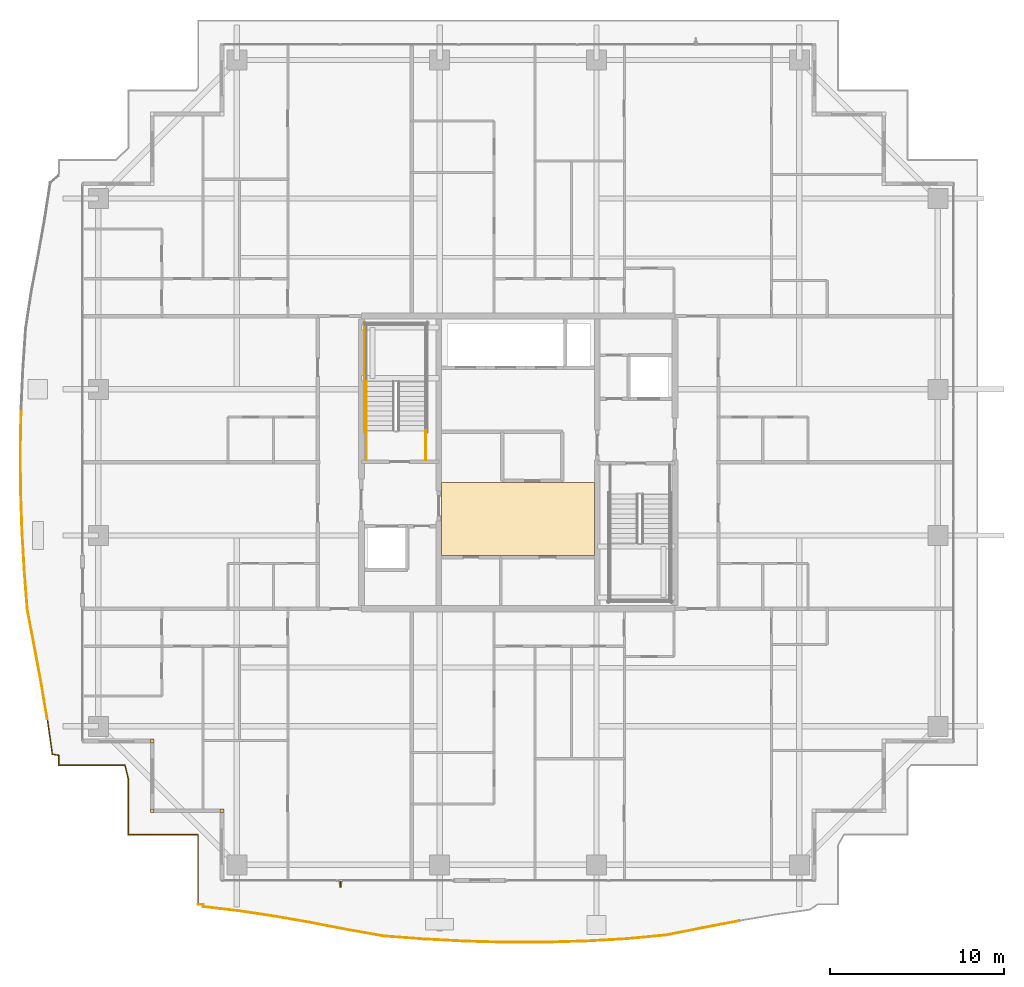
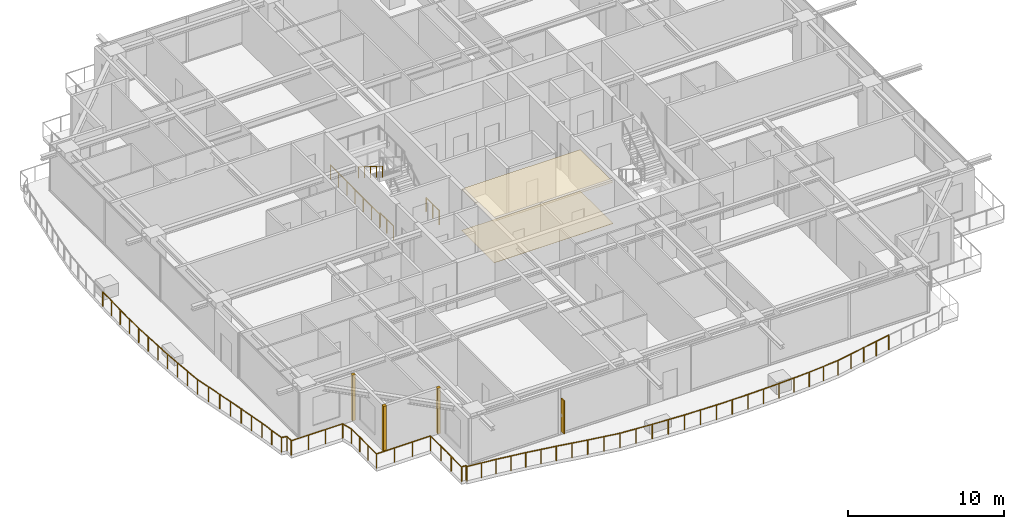
# One storey, part 33 of 38: 8 railings, 5 coverings, 1 shading device.
"""IFC4 building model written with IfcOpenShell, lengths in metres."""

from ifc_helpers import new_model, si_unit, direction, frame, origin, origin_2d, place, context, subcontext, project, spatial, polyline, rectangle, circle, outline, extrude, source, transform, mapped, material, layer, layer_set, type_object, element, save


model = new_model("IFC4")

# Units and contexts
model_context = context("Model", 3, precision=1e-05, world=origin(), true_north=direction((0.0, 1.0)))
body_context = subcontext(model_context, "Body", "Model", "MODEL_VIEW")
ifc_project = project(units=[si_unit("LENGTHUNIT", "METRE"), si_unit("AREAUNIT", "SQUARE_METRE"), si_unit("VOLUMEUNIT", "CUBIC_METRE"), si_unit("PLANEANGLEUNIT", "RADIAN"), si_unit("MASSUNIT", "GRAM", prefix="KILO")], contexts=[model_context])

# Site, building, storey
site_placement = place(None, origin())
site = spatial("IfcSite", under=ifc_project, at=site_placement, CompositionType="ELEMENT")
building_placement = place(site_placement, origin())
building = spatial("IfcBuilding", under=site, at=building_placement, Name="Serunith Strait Residences", CompositionType="ELEMENT")
storey_placement = place(building_placement, frame((0.0, 0.0, 241.25)))
storey = spatial("IfcBuildingStorey", under=building, at=storey_placement, Name="L60", CompositionType="ELEMENT", Elevation=241.25)

# Coverings
ifc_material_1 = material(Name="Perforated acoustic gypsum ceiling tile")
ifc_layer_1 = layer(ifc_material_1, 0.02490234375, Name="Perforated acoustic gypsum ceiling tile")
ifc_layer_set_1 = layer_set([ifc_layer_1], Name="Perforated acoustic gypsum ceiling tile")
covering_type_1 = type_object("IfcCoveringType", Name="COV-CEIL-AC60", PredefinedType="CEILING", material=ifc_layer_set_1)
covering_1_placement = place(storey_placement, frame((0.0, 0.0, 3.239990234375)))
element("IfcCovering", 1, at=covering_1_placement, inside=storey, type_object=covering_type_1, Name="L60 Lift Lobby Acoustic Ceiling", PredefinedType="CEILING", context=body_context, shape_type="SweptSolid", body=[
    extrude(outline(polyline([(28.0, 19.85009765625), (36.800048828125, 19.85009765625), (36.800048828125, 24.050048828125), (28.0, 24.050048828125), (28.0, 19.85009765625)])), origin(), (0.0, 0.0, 1.0), 0.02490234375),
])
ifc_material_2 = material(Name="Honed limestone terrazzo flooring", Category="masonry")
ifc_layer_2 = layer(ifc_material_2, 0.02001953125, Name="Honed limestone terrazzo flooring")
ifc_layer_set_2 = layer_set([ifc_layer_2], Name="Honed limestone terrazzo flooring")
covering_type_2 = type_object("IfcCoveringType", Name="COV-FLOOR-TER40", PredefinedType="FLOORING", material=ifc_layer_set_2)
covering_2_placement = place(storey_placement, origin())
element("IfcCovering", 2, at=covering_2_placement, inside=storey, type_object=covering_type_2, Name="L60 Lift Lobby Terrazzo Flooring", PredefinedType="FLOORING", context=body_context, shape_type="SweptSolid", body=[
    extrude(outline(polyline([(28.0, 19.85009765625), (36.800048828125, 19.85009765625), (36.800048828125, 24.050048828125), (28.0, 24.050048828125), (28.0, 19.85009765625)])), origin(), (0.0, 0.0, 1.0), 0.02001953125),
])

# Railings
ifc_material_3 = material(Name="Stainless Steel & Laminated Glass Balustrade", Category="steel")
railing_type_1 = type_object("IfcRailingType", Name="RLG-BALC-1150", PredefinedType="BALUSTRADE", material=ifc_material_3)
railing_1_placement = place(storey_placement, frame((14.02001953125, -0.179931640625, -0.050048828125)))
element("IfcRailing", 3, at=railing_1_placement, inside=storey, type_object=railing_type_1, Name="L60 Swirling Balcony Perimeter Balustrade 1", PredefinedType="BALUSTRADE", context=body_context, shape_type="SweptSolid", body=[
    extrude(circle(Radius=0.02392578125, at=origin_2d()), frame((0.0, 0.001953125, 1.1259765625), z_axis=(0.0, 1.0, 0.0), x_axis=(-1.0, 0.0, 0.0)), (0.0, 0.0, 1.0), 3.99609375),
    extrude(circle(Radius=0.02392578125, at=origin_2d()), frame((-0.001953125, 4.0, 1.1259765625), z_axis=(-1.0, 0.0, 0.0), x_axis=(0.0, -1.0, 0.0)), (0.0, 0.0, 1.0), 3.99609375),
    extrude(circle(Radius=0.02392578125, at=origin_2d()), frame((-4.0, 4.001953125, 1.1259765625), z_axis=(0.0, 1.0, 0.0), x_axis=(-1.0, 0.0, 0.0)), (0.0, 0.0, 1.0), 3.205078125),
    extrude(circle(Radius=0.02392578125, at=origin_2d()), frame((-4.00048828125, 7.2109375, 1.1259765625), z_axis=(-0.237170150499, 0.971468125937, 0.0), x_axis=(-0.971468125937, -0.237170150499, 0.0)), (0.0, 0.0, 1.0), 0.810302734375),
    extrude(circle(Radius=0.02392578125, at=origin_2d()), frame((-4.195068359375, 8.0, 1.1259765625), z_axis=(-1.0, 0.0, 0.0), x_axis=(0.0, -1.0, 0.0)), (0.0, 0.0, 1.0), 3.802978515625),
    extrude(circle(Radius=0.02392578125, at=origin_2d()), frame((-8.0, 8.001953125, 1.1259765625), z_axis=(0.0, 1.0, 0.0), x_axis=(-1.0, 0.0, 0.0)), (0.0, 0.0, 1.0), 0.5576171875),
    extrude(circle(Radius=0.02392578125, at=origin_2d()), frame((-8.001953125, 8.561767578125, 1.1259765625), z_axis=(-0.986122286746, 0.166020587829, 0.0), x_axis=(-0.166020587829, -0.986122286746, 0.0)), (0.0, 0.0, 1.0), 0.362060546875),
    extrude(circle(Radius=0.02392578125, at=origin_2d()), frame((-8.361328125, 8.624267578125, 1.1259765625), z_axis=(-0.140603209543, 0.990066026822, 0.0), x_axis=(-0.990066026822, -0.140603209543, 0.0)), (0.0, 0.0, 1.0), 2.043212890625),
    extrude(circle(Radius=0.02099609375, at=origin_2d()), origin(), (0.0, 0.0, 1.0), 1.099853515625),
    extrude(circle(Radius=0.02099609375, at=origin_2d()), frame((0.0, 1.333251953125, 0.0)), (0.0, 0.0, 1.0), 1.099853515625),
    extrude(circle(Radius=0.02099609375, at=origin_2d()), frame((0.0, 2.666748046875, 0.0)), (0.0, 0.0, 1.0), 1.099853515625),
    extrude(circle(Radius=0.02099609375, at=origin_2d()), frame((0.0, 4.0, 0.0)), (0.0, 0.0, 1.0), 1.099853515625),
    extrude(circle(Radius=0.02099609375, at=origin_2d()), frame((-1.333251953125, 4.0, 0.0)), (0.0, 0.0, 1.0), 1.099853515625),
    extrude(circle(Radius=0.02099609375, at=origin_2d()), frame((-2.666748046875, 4.0, 0.0)), (0.0, 0.0, 1.0), 1.099853515625),
    extrude(circle(Radius=0.02099609375, at=origin_2d()), frame((-4.0, 4.0, 0.0)), (0.0, 0.0, 1.0), 1.099853515625),
    extrude(circle(Radius=0.02099609375, at=origin_2d()), frame((-4.0, 5.069580078125, 0.0)), (0.0, 0.0, 1.0), 1.099853515625),
    extrude(circle(Radius=0.02099609375, at=origin_2d()), frame((-4.0, 6.139404296875, 0.0)), (0.0, 0.0, 1.0), 1.099853515625),
    extrude(circle(Radius=0.02099609375, at=origin_2d()), frame((-4.0, 7.208984375, 0.0)), (0.0, 0.0, 1.0), 1.099853515625),
    extrude(circle(Radius=0.02099609375, at=origin_2d()), frame((-4.193115234375, 8.0, 0.0)), (0.0, 0.0, 1.0), 1.099853515625),
    extrude(circle(Radius=0.02099609375, at=origin_2d()), frame((-5.462158203125, 8.0, 0.0)), (0.0, 0.0, 1.0), 1.099853515625),
    extrude(circle(Radius=0.02099609375, at=origin_2d()), frame((-6.73095703125, 8.0, 0.0)), (0.0, 0.0, 1.0), 1.099853515625),
    extrude(circle(Radius=0.02099609375, at=origin_2d()), frame((-8.0, 8.0, 0.0)), (0.0, 0.0, 1.0), 1.099853515625),
    extrude(circle(Radius=0.02099609375, at=origin_2d()), frame((-8.0, 8.5615234375, 0.0)), (0.0, 0.0, 1.0), 1.099853515625),
    extrude(circle(Radius=0.02099609375, at=origin_2d()), frame((-8.361083984375, 8.622314453125, 0.0)), (0.0, 0.0, 1.0), 1.099853515625),
    extrude(circle(Radius=0.02099609375, at=origin_2d()), frame((-8.5048828125, 9.6357421875, 0.0)), (0.0, 0.0, 1.0), 1.099853515625),
    extrude(circle(Radius=0.02099609375, at=origin_2d()), frame((-8.64892578125, 10.649169921875, 0.0)), (0.0, 0.0, 1.0), 1.099853515625),
])
railing_2_placement = place(storey_placement, frame((5.37109375, 10.46923828125, -0.050048828125)))
element("IfcRailing", 4, at=railing_2_placement, inside=storey, type_object=railing_type_1, Name="L60 Swirling Balcony Perimeter Balustrade 2", PredefinedType="BALUSTRADE", context=body_context, shape_type="SweptSolid", body=[
    extrude(circle(Radius=0.02392578125, at=origin_2d()), frame((-0.000244140625, 0.001953125, 1.1259765625), z_axis=(-0.165275784377, 0.986247390414, 0.0), x_axis=(-0.986247390414, -0.165275784377, 0.0)), (0.0, 0.0, 1.0), 2.072998046875),
    extrude(circle(Radius=0.02392578125, at=origin_2d()), frame((-0.343505859375, 2.05029296875, 1.1259765625), z_axis=(-0.18296219892, 0.983119948819, 0.0), x_axis=(-0.983119948819, -0.18296219892, 0.0)), (0.0, 0.0, 1.0), 2.118896484375),
    extrude(circle(Radius=0.02392578125, at=origin_2d()), frame((-0.732177734375, 4.137451171875, 1.1259765625), z_axis=(-0.187204605983, 0.982320943225, 0.0), x_axis=(-0.982320943225, -0.187204605983, 0.0)), (0.0, 0.0, 1.0), 2.17919921875),
    extrude(circle(Radius=0.02392578125, at=origin_2d()), frame((-1.140625, 6.281982421875, 1.1259765625), z_axis=(-0.078021370134, 0.996951686794, 0.0), x_axis=(-0.996951686794, -0.078021370134, 0.0)), (0.0, 0.0, 1.0), 2.2646484375),
    extrude(circle(Radius=0.02392578125, at=origin_2d()), frame((-1.3173828125, 8.543701171875, 1.1259765625), z_axis=(-0.056980288871, 0.998375303521, 0.0), x_axis=(-0.998375303521, -0.056980288871, 0.0)), (0.0, 0.0, 1.0), 2.296875),
    extrude(circle(Radius=0.02392578125, at=origin_2d()), frame((-1.448486328125, 10.8408203125, 1.1259765625), z_axis=(-0.033531826925, 0.999437650173, 0.0), x_axis=(-0.999437650173, -0.033531826925, 0.0)), (0.0, 0.0, 1.0), 2.318603515625),
    extrude(circle(Radius=0.02392578125, at=origin_2d()), frame((-1.5263671875, 13.162109375, 1.1259765625), z_axis=(-0.007117257452, 0.999974672002, 0.0), x_axis=(-0.999974672002, -0.007117257452, 0.0)), (0.0, 0.0, 1.0), 2.32861328125),
    extrude(circle(Radius=0.02392578125, at=origin_2d()), frame((-1.54296875, 15.49462890625, 1.1259765625), z_axis=(0.019918455017, 0.999801607895, 0.0), x_axis=(-0.999801607895, 0.019918455017, 0.0)), (0.0, 0.0, 1.0), 2.324951171875),
    extrude(circle(Radius=0.02099609375, at=origin_2d()), origin(), (0.0, 0.0, 1.0), 1.099853515625),
    extrude(circle(Radius=0.02099609375, at=origin_2d()), frame((-0.171630859375, 1.024169921875, 0.0)), (0.0, 0.0, 1.0), 1.099853515625),
    extrude(circle(Radius=0.02099609375, at=origin_2d()), frame((-0.34326171875, 2.04833984375, 0.0)), (0.0, 0.0, 1.0), 1.099853515625),
    extrude(circle(Radius=0.02099609375, at=origin_2d()), frame((-0.53759765625, 3.091796875, 0.0)), (0.0, 0.0, 1.0), 1.099853515625),
    extrude(circle(Radius=0.02099609375, at=origin_2d()), frame((-0.731689453125, 4.135498046875, 0.0)), (0.0, 0.0, 1.0), 1.099853515625),
    extrude(circle(Radius=0.02099609375, at=origin_2d()), frame((-0.93603515625, 5.207763671875, 0.0)), (0.0, 0.0, 1.0), 1.099853515625),
    extrude(circle(Radius=0.02099609375, at=origin_2d()), frame((-1.140380859375, 6.280029296875, 0.0)), (0.0, 0.0, 1.0), 1.099853515625),
    extrude(circle(Radius=0.02099609375, at=origin_2d()), frame((-1.22900390625, 7.410888671875, 0.0)), (0.0, 0.0, 1.0), 1.099853515625),
    extrude(circle(Radius=0.02099609375, at=origin_2d()), frame((-1.3173828125, 8.541748046875, 0.0)), (0.0, 0.0, 1.0), 1.099853515625),
    extrude(circle(Radius=0.02099609375, at=origin_2d()), frame((-1.3828125, 9.6904296875, 0.0)), (0.0, 0.0, 1.0), 1.099853515625),
    extrude(circle(Radius=0.02099609375, at=origin_2d()), frame((-1.448486328125, 10.8388671875, 0.0)), (0.0, 0.0, 1.0), 1.099853515625),
    extrude(circle(Radius=0.02099609375, at=origin_2d()), frame((-1.4873046875, 11.99951171875, 0.0)), (0.0, 0.0, 1.0), 1.099853515625),
    extrude(circle(Radius=0.02099609375, at=origin_2d()), frame((-1.5263671875, 13.16015625, 0.0)), (0.0, 0.0, 1.0), 1.099853515625),
    extrude(circle(Radius=0.02099609375, at=origin_2d()), frame((-1.53466796875, 14.326416015625, 0.0)), (0.0, 0.0, 1.0), 1.099853515625),
    extrude(circle(Radius=0.02099609375, at=origin_2d()), frame((-1.54296875, 15.49267578125, 0.0)), (0.0, 0.0, 1.0), 1.099853515625),
    extrude(circle(Radius=0.02099609375, at=origin_2d()), frame((-1.519775390625, 16.65673828125, 0.0)), (0.0, 0.0, 1.0), 1.099853515625),
    extrude(circle(Radius=0.02099609375, at=origin_2d()), frame((-1.49658203125, 17.821044921875, 0.0)), (0.0, 0.0, 1.0), 1.099853515625),
])
railing_3_placement = place(storey_placement, frame((45.102294921875, -1.11865234375, -0.050048828125)))
element("IfcRailing", 5, at=railing_3_placement, inside=storey, type_object=railing_type_1, Name="L60 Swirling Balcony Perimeter Balustrade 7", PredefinedType="BALUSTRADE", context=body_context, shape_type="SweptSolid", body=[
    extrude(circle(Radius=0.02392578125, at=origin_2d()), frame((-0.001953125, -0.00048828125, 1.1259765625), z_axis=(-0.982195030623, -0.18786410466, 0.0), x_axis=(0.18786410466, -0.982195030623, 0.0)), (0.0, 0.0, 1.0), 2.1142578125),
    extrude(circle(Radius=0.02392578125, at=origin_2d()), frame((-2.08251953125, -0.3984375, 1.1259765625), z_axis=(-0.981063958401, -0.193684045619, 0.0), x_axis=(0.193684045619, -0.981063958401, 0.0)), (0.0, 0.0, 1.0), 2.177978515625),
    extrude(circle(Radius=0.02392578125, at=origin_2d()), frame((-4.22314453125, -0.82080078125, 1.1259765625), z_axis=(-0.995563361513, -0.094093534384, 0.0), x_axis=(0.094093534384, -0.995563361513, 0.0)), (0.0, 0.0, 1.0), 2.266357421875),
    extrude(circle(Radius=0.02392578125, at=origin_2d()), frame((-6.4833984375, -1.0341796875, 1.1259765625), z_axis=(-0.998456452042, -0.055540196042, 0.0), x_axis=(0.055540196042, -0.998456452042, 0.0)), (0.0, 0.0, 1.0), 2.30810546875),
    extrude(circle(Radius=0.02392578125, at=origin_2d()), frame((-8.7919921875, -1.16259765625, 1.1259765625), z_axis=(-0.999565129515, -0.029488164716, 0.0), x_axis=(0.029488164716, -0.999565129515, 0.0)), (0.0, 0.0, 1.0), 2.330810546875),
    extrude(circle(Radius=0.02392578125, at=origin_2d()), frame((-11.125732421875, -1.2314453125, 1.1259765625), z_axis=(-0.999999560547, -0.000937499588, 0.0), x_axis=(0.000937499588, -0.999999560547, 0.0)), (0.0, 0.0, 1.0), 2.33984375),
    extrude(circle(Radius=0.02392578125, at=origin_2d()), frame((-13.469482421875, -1.233642578125, 1.1259765625), z_axis=(-0.999622670286, 0.027468473753, 0.0), x_axis=(-0.027468473753, -0.999622670286, 0.0)), (0.0, 0.0, 1.0), 2.33349609375),
    extrude(circle(Radius=0.02392578125, at=origin_2d()), frame((-15.80615234375, -1.16943359375, 1.1259765625), z_axis=(-0.998583567557, 0.053205813633, 0.0), x_axis=(-0.053205813633, -0.998583567557, 0.0)), (0.0, 0.0, 1.0), 2.313232421875),
    extrude(circle(Radius=0.02099609375, at=origin_2d()), origin(), (0.0, 0.0, 1.0), 1.099853515625),
    extrude(circle(Radius=0.02099609375, at=origin_2d()), frame((-1.040283203125, -0.198974609375, 0.0)), (0.0, 0.0, 1.0), 1.099853515625),
    extrude(circle(Radius=0.02099609375, at=origin_2d()), frame((-2.08056640625, -0.39794921875, 0.0)), (0.0, 0.0, 1.0), 1.099853515625),
    extrude(circle(Radius=0.02099609375, at=origin_2d()), frame((-3.15087890625, -0.609375, 0.0)), (0.0, 0.0, 1.0), 1.099853515625),
    extrude(circle(Radius=0.02099609375, at=origin_2d()), frame((-4.22119140625, -0.820556640625, 0.0)), (0.0, 0.0, 1.0), 1.099853515625),
    extrude(circle(Radius=0.02099609375, at=origin_2d()), frame((-5.351318359375, -0.92724609375, 0.0)), (0.0, 0.0, 1.0), 1.099853515625),
    extrude(circle(Radius=0.02099609375, at=origin_2d()), frame((-6.4814453125, -1.0341796875, 0.0)), (0.0, 0.0, 1.0), 1.099853515625),
    extrude(circle(Radius=0.02099609375, at=origin_2d()), frame((-7.6357421875, -1.098388671875, 0.0)), (0.0, 0.0, 1.0), 1.099853515625),
    extrude(circle(Radius=0.02099609375, at=origin_2d()), frame((-8.7900390625, -1.16259765625, 0.0)), (0.0, 0.0, 1.0), 1.099853515625),
    extrude(circle(Radius=0.02099609375, at=origin_2d()), frame((-9.95703125, -1.197021484375, 0.0)), (0.0, 0.0, 1.0), 1.099853515625),
    extrude(circle(Radius=0.02099609375, at=origin_2d()), frame((-11.123779296875, -1.2314453125, 0.0)), (0.0, 0.0, 1.0), 1.099853515625),
    extrude(circle(Radius=0.02099609375, at=origin_2d()), frame((-12.295654296875, -1.232421875, 0.0)), (0.0, 0.0, 1.0), 1.099853515625),
    extrude(circle(Radius=0.02099609375, at=origin_2d()), frame((-13.467529296875, -1.233642578125, 0.0)), (0.0, 0.0, 1.0), 1.099853515625),
    extrude(circle(Radius=0.02099609375, at=origin_2d()), frame((-14.6357421875, -1.20166015625, 0.0)), (0.0, 0.0, 1.0), 1.099853515625),
    extrude(circle(Radius=0.02099609375, at=origin_2d()), frame((-15.80419921875, -1.16943359375, 0.0)), (0.0, 0.0, 1.0), 1.099853515625),
    extrude(circle(Radius=0.02099609375, at=origin_2d()), frame((-16.961181640625, -1.10791015625, 0.0)), (0.0, 0.0, 1.0), 1.099853515625),
    extrude(circle(Radius=0.02099609375, at=origin_2d()), frame((-18.1181640625, -1.046142578125, 0.0)), (0.0, 0.0, 1.0), 1.099853515625),
])
railing_4_placement = place(storey_placement, frame((26.984130859375, -2.164794921875, -0.050048828125)))
element("IfcRailing", 6, at=railing_4_placement, inside=storey, type_object=railing_type_1, Name="L60 Swirling Balcony Perimeter Balustrade 8", PredefinedType="BALUSTRADE", context=body_context, shape_type="SweptSolid", body=[
    extrude(circle(Radius=0.02392578125, at=origin_2d()), frame((-0.001953125, 0.000244140625, 1.1259765625), z_axis=(-0.997225927897, 0.074434190592, 0.0), x_axis=(-0.074434190592, -0.997225927897, 0.0)), (0.0, 0.0, 1.0), 2.2822265625),
    extrude(circle(Radius=0.02392578125, at=origin_2d()), frame((-2.28173828125, 0.17041015625, 1.1259765625), z_axis=(-0.984949093648, 0.172844678607, 0.0), x_axis=(-0.172844678607, -0.984949093648, 0.0)), (0.0, 0.0, 1.0), 2.202392578125),
    extrude(circle(Radius=0.02392578125, at=origin_2d()), frame((-4.454833984375, 0.552001953125, 1.1259765625), z_axis=(-0.981792229486, 0.189957937766, 0.0), x_axis=(-0.189957937766, -0.981792229486, 0.0)), (0.0, 0.0, 1.0), 2.132080078125),
    extrude(circle(Radius=0.02392578125, at=origin_2d()), frame((-6.552001953125, 0.95751953125, 1.1259765625), z_axis=(-0.984958773557, 0.17278950892, 0.0), x_axis=(-0.17278950892, -0.984958773557, 0.0)), (0.0, 0.0, 1.0), 2.080078125),
    extrude(circle(Radius=0.02392578125, at=origin_2d()), frame((-8.604736328125, 1.317626953125, 1.1259765625), z_axis=(-0.989165713362, 0.146803240801, 0.0), x_axis=(-0.146803240801, -0.989165713362, 0.0)), (0.0, 0.0, 1.0), 2.046630859375),
    extrude(circle(Radius=0.02392578125, at=origin_2d()), frame((-10.633056640625, 1.61865234375, 1.1259765625), z_axis=(-0.992925047454, 0.118742789835, 0.0), x_axis=(-0.118742789835, -0.992925047454, 0.0)), (0.0, 0.0, 1.0), 2.029541015625),
    extrude(circle(Radius=0.02392578125, at=origin_2d()), frame((-12.650146484375, 1.86181640625, 1.1259765625), z_axis=(0.007812261592, 0.999969483819, 0.0), x_axis=(-0.999969483819, 0.007812261592, 0.0)), (0.0, 0.0, 1.0), 0.12109375),
    extrude(circle(Radius=0.02392578125, at=origin_2d()), frame((-12.651123046875, 1.98486328125, 1.1259765625), z_axis=(-1.0, 0.0, 0.0), x_axis=(0.0, -1.0, 0.0)), (0.0, 0.0, 1.0), 0.31103515625),
    extrude(circle(Radius=0.02099609375, at=origin_2d()), origin(), (0.0, 0.0, 1.0), 1.099853515625),
    extrude(circle(Radius=0.02099609375, at=origin_2d()), frame((-1.139892578125, 0.0849609375, 0.0)), (0.0, 0.0, 1.0), 1.099853515625),
    extrude(circle(Radius=0.02099609375, at=origin_2d()), frame((-2.27978515625, 0.170166015625, 0.0)), (0.0, 0.0, 1.0), 1.099853515625),
    extrude(circle(Radius=0.02099609375, at=origin_2d()), frame((-3.3662109375, 0.36083984375, 0.0)), (0.0, 0.0, 1.0), 1.099853515625),
    extrude(circle(Radius=0.02099609375, at=origin_2d()), frame((-4.452880859375, 0.551513671875, 0.0)), (0.0, 0.0, 1.0), 1.099853515625),
    extrude(circle(Radius=0.02099609375, at=origin_2d()), frame((-5.50146484375, 0.75439453125, 0.0)), (0.0, 0.0, 1.0), 1.099853515625),
    extrude(circle(Radius=0.02099609375, at=origin_2d()), frame((-6.550048828125, 0.957275390625, 0.0)), (0.0, 0.0, 1.0), 1.099853515625),
    extrude(circle(Radius=0.02099609375, at=origin_2d()), frame((-7.576416015625, 1.13720703125, 0.0)), (0.0, 0.0, 1.0), 1.099853515625),
    extrude(circle(Radius=0.02099609375, at=origin_2d()), frame((-8.602783203125, 1.3173828125, 0.0)), (0.0, 0.0, 1.0), 1.099853515625),
    extrude(circle(Radius=0.02099609375, at=origin_2d()), frame((-9.616943359375, 1.4677734375, 0.0)), (0.0, 0.0, 1.0), 1.099853515625),
    extrude(circle(Radius=0.02099609375, at=origin_2d()), frame((-10.631103515625, 1.618408203125, 0.0)), (0.0, 0.0, 1.0), 1.099853515625),
    extrude(circle(Radius=0.02099609375, at=origin_2d()), frame((-11.640625, 1.7392578125, 0.0)), (0.0, 0.0, 1.0), 1.099853515625),
    extrude(circle(Radius=0.02099609375, at=origin_2d()), frame((-12.650146484375, 1.85986328125, 0.0)), (0.0, 0.0, 1.0), 1.099853515625),
    extrude(circle(Radius=0.02099609375, at=origin_2d()), frame((-12.649169921875, 1.98486328125, 0.0)), (0.0, 0.0, 1.0), 1.099853515625),
    extrude(circle(Radius=0.02099609375, at=origin_2d()), frame((-12.964111328125, 1.98486328125, 0.0)), (0.0, 0.0, 1.0), 1.099853515625),
])
ifc_material_4 = material(Name="Brushed stainless steel 316L", Category="steel")
railing_type_2 = type_object("IfcRailingType", Name="RLG-STAIR-GUARD", PredefinedType="BALUSTRADE", material=ifc_material_4)
for number, where, name in (
    (7, (27.10009765625, 25.35009765625, 0.0), "L60 ST-1 stair guard 8"),
    (8, (23.699951171875, 25.35009765625, 0.0), "L60 ST-1 stair guard 9"),
):
    element("IfcRailing", number, at=place(storey_placement, frame(where)), inside=storey, type_object=railing_type_2, Name=name, PredefinedType="BALUSTRADE", context=body_context, shape_type="SweptSolid", body=[
        extrude(circle(Radius=0.02392578125, at=origin_2d()), frame((0.0, 0.001953125, 1.076171875), z_axis=(0.0, 1.0, 0.0), x_axis=(-1.0, 0.0, 0.0)), (0.0, 0.0, 1.0), 1.676025390625),
        extrude(circle(Radius=0.02099609375, at=origin_2d()), origin(), (0.0, 0.0, 1.0), 1.050048828125),
        extrude(circle(Radius=0.02099609375, at=origin_2d()), frame((0.0, 0.83984375, 0.0)), (0.0, 0.0, 1.0), 1.050048828125),
        extrude(circle(Radius=0.02099609375, at=origin_2d()), frame((0.0, 1.679931640625, 0.0)), (0.0, 0.0, 1.0), 1.050048828125),
    ])
railing_5_placement = place(storey_placement, frame((23.60009765625, 26.929931640625, 0.0)))
element("IfcRailing", 9, at=railing_5_placement, inside=storey, type_object=railing_type_2, Name="L60 ST-1 stair guard 11", PredefinedType="BALUSTRADE", context=body_context, shape_type="SweptSolid", body=[
    extrude(circle(Radius=0.02392578125, at=origin_2d()), frame((0.0, 0.001953125, 1.076171875), z_axis=(0.0, 1.0, 0.0), x_axis=(-1.0, 0.0, 0.0)), (0.0, 0.0, 1.0), 6.316162109375),
    extrude(circle(Radius=0.02099609375, at=origin_2d()), origin(), (0.0, 0.0, 1.0), 1.050048828125),
    extrude(circle(Radius=0.02099609375, at=origin_2d()), frame((0.0, 1.05322265625, 0.0)), (0.0, 0.0, 1.0), 1.050048828125),
    extrude(circle(Radius=0.02099609375, at=origin_2d()), frame((0.0, 2.106689453125, 0.0)), (0.0, 0.0, 1.0), 1.050048828125),
    extrude(circle(Radius=0.02099609375, at=origin_2d()), frame((0.0, 3.16015625, 0.0)), (0.0, 0.0, 1.0), 1.050048828125),
    extrude(circle(Radius=0.02099609375, at=origin_2d()), frame((0.0, 4.21337890625, 0.0)), (0.0, 0.0, 1.0), 1.050048828125),
    extrude(circle(Radius=0.02099609375, at=origin_2d()), frame((0.0, 5.2666015625, 0.0)), (0.0, 0.0, 1.0), 1.050048828125),
    extrude(circle(Radius=0.02099609375, at=origin_2d()), frame((0.0, 6.320068359375, 0.0)), (0.0, 0.0, 1.0), 1.050048828125),
])
railing_type_3 = type_object("IfcRailingType", Name="RLG-STAIR-HR", PredefinedType="HANDRAIL", material=ifc_material_4)
railing_6_placement = place(storey_placement, frame((23.699951171875, 29.830078125, 2.10009765625)))
element("IfcRailing", 10, at=railing_6_placement, inside=storey, type_object=railing_type_3, Name="L60 ST-1 stair handrail 2", PredefinedType="HANDRAIL", context=body_context, shape_type="SweptSolid", body=[
    extrude(circle(Radius=0.02392578125, at=origin_2d()), frame((0.0, -0.001708984375, 0.876953125), z_axis=(0.0, -0.847393994688, 0.530964610654), x_axis=(1.0, 0.0, 0.0)), (0.0, 0.0, 1.0), 3.630859375),
    extrude(circle(Radius=0.02099609375, at=origin_2d()), origin(), (0.0, 0.0, 1.0), 0.849853515625),
    extrude(circle(Radius=0.02099609375, at=origin_2d()), frame((0.0, -0.77001953125, 0.482421875)), (0.0, 0.0, 1.0), 0.849853515625),
    extrude(circle(Radius=0.02099609375, at=origin_2d()), frame((0.0, -1.5400390625, 0.96484375)), (0.0, 0.0, 1.0), 0.849853515625),
    extrude(circle(Radius=0.02099609375, at=origin_2d()), frame((0.0, -2.31005859375, 1.447509765625)), (0.0, 0.0, 1.0), 0.849853515625),
    extrude(circle(Radius=0.02099609375, at=origin_2d()), frame((0.0, -3.080078125, 1.929931640625)), (0.0, 0.0, 1.0), 0.849853515625),
])

# Shading device
ifc_material_5 = material(Name="Pale-Champagne Perforated Aluminium Fin", Category="aluminium")
shading_device_type = type_object("IfcShadingDeviceType", Name="SHD-DIAG-FIN", PredefinedType="AWNING", material=ifc_material_5)
shared_shape_1 = source(origin(), body_context, "Body", "SweptSolid", [
    extrude(rectangle(XDim=0.080078125, YDim=0.35009765625, at=origin_2d()), origin(), (0.0, 0.0, 1.0), 2.60009765625),
])
shading_device_placement = place(storey_placement, frame((22.199951171875, 0.97998046875, 0.199951171875), z_axis=(0.0, 0.0, 1.0), x_axis=(1.0, 0.0, 0.0)))
element("IfcShadingDevice", 11, at=shading_device_placement, inside=storey, type_object=shading_device_type, Name="L60 Diagonal Rhythm Solar Fin S", PredefinedType="AWNING", context=body_context, shape_type="MappedRepresentation", body=[
    mapped(shared_shape_1, transform((0.0, 0.0, 0.0), scale=1.0)),
])

# Coverings
ifc_material_6 = material(Name="Pale-Champagne Anodised Aluminium", Category="aluminium")
ifc_layer_3 = layer(ifc_material_6, 0.219970703125, Name="Pale-Champagne Anodised Aluminium")
ifc_layer_set_3 = layer_set([ifc_layer_3], Name="Pale-Champagne Anodised Aluminium")
covering_type_3 = type_object("IfcCoveringType", Name="COV-CORN-TRIM", PredefinedType="CLADDING", material=ifc_layer_set_3)
shared_shape_2 = source(origin(), body_context, "Body", "SweptSolid", [
    extrude(rectangle(XDim=0.221923828125, YDim=0.221923828125, at=origin_2d()), origin(), (0.0, 0.0, 1.0), 3.574951171875),
])
for number, where, z_axis, x_axis, name in (
    (12, (11.39990234375, 9.199951171875, 0.0), (0.0, 0.0, 1.0), (1.0, 0.0, 0.0), "L60 Girih Serrated Corner Trim Post 17"),
    (13, (11.39990234375, 5.199951171875, 0.0), (0.0, 0.0, 1.0), (1.0, 0.0, 0.0), "L60 Girih Serrated Corner Trim Post 18"),
    (14, (15.39990234375, 5.199951171875, 0.0), (0.0, 0.0, 1.0), (1.0, 0.0, 0.0), "L60 Girih Serrated Corner Trim Post 19"),
):
    element("IfcCovering", number, at=place(storey_placement, frame(where, z_axis=z_axis, x_axis=x_axis)), inside=storey, type_object=covering_type_3, Name=name, PredefinedType="CLADDING", context=body_context, shape_type="MappedRepresentation", body=[
        mapped(shared_shape_2, transform((0.0, 0.0, 0.0), scale=1.0)),
    ])

save(model, "model.ifc")
